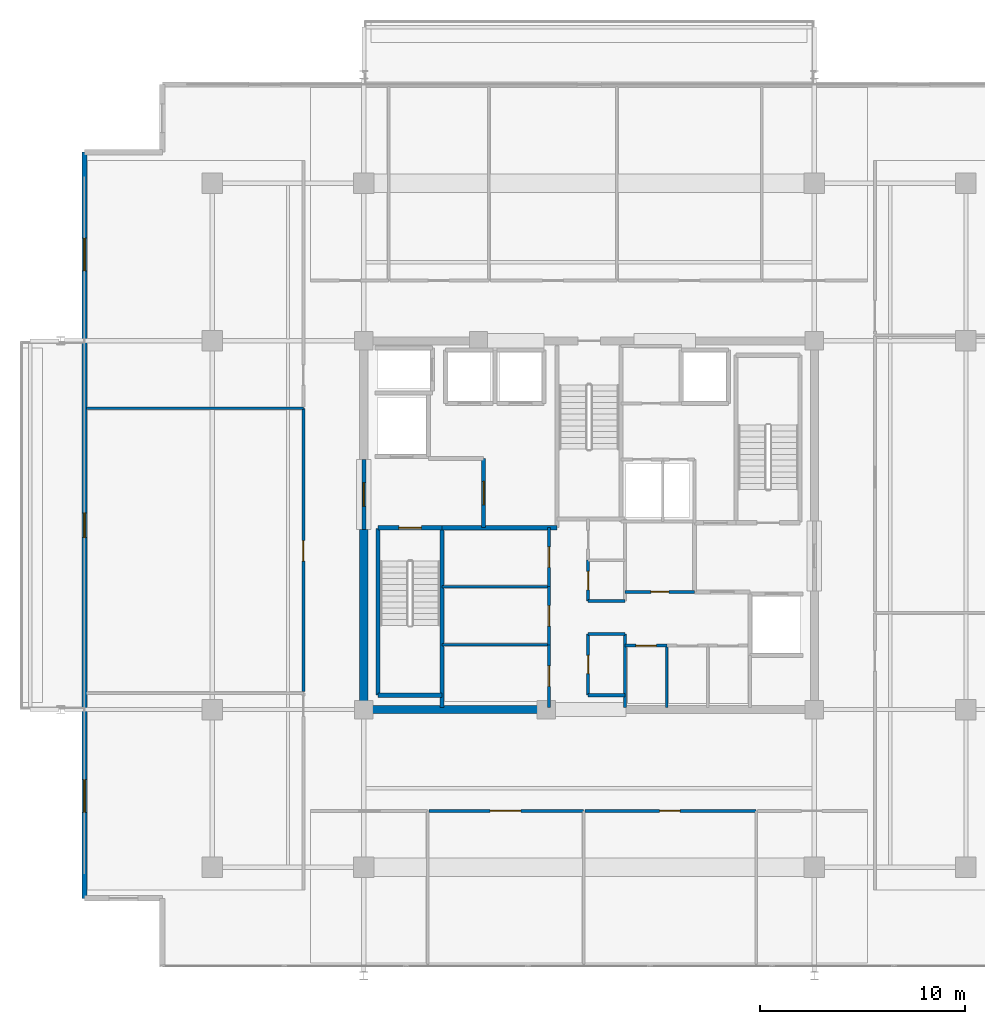
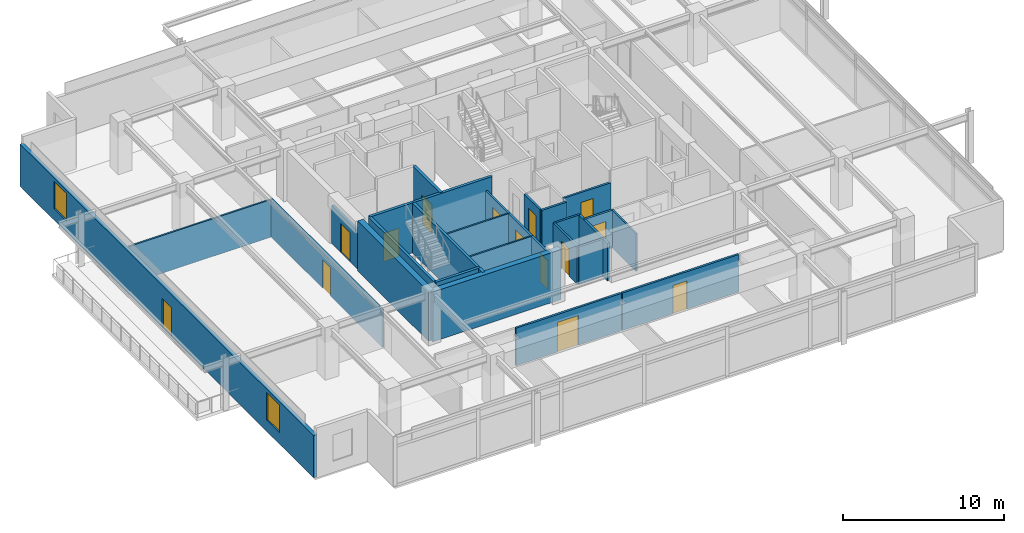
# One storey, part 13 of 20: 28 walls, 14 doors, 2 windows, 16 openings.
"""IFC4 building model written with IfcOpenShell, lengths in metres."""

from ifc_helpers import new_model, si_unit, direction, frame, frame_2d, origin, place, context, subcontext, project, spatial, rectangle, extrude, material, layer, layer_set, type_object, element, fill, save


model = new_model("IFC4")

# Units and contexts
model_context = context("Model", 3, precision=1e-05, world=origin(), true_north=direction((0.0, 1.0)))
body_context = subcontext(model_context, "Body", "Model", "MODEL_VIEW")
ifc_project = project(units=[si_unit("LENGTHUNIT", "METRE"), si_unit("AREAUNIT", "SQUARE_METRE"), si_unit("VOLUMEUNIT", "CUBIC_METRE"), si_unit("PLANEANGLEUNIT", "RADIAN"), si_unit("MASSUNIT", "GRAM", prefix="KILO")], contexts=[model_context])

# Site, building, storey
site_placement = place(None, origin())
site = spatial("IfcSite", under=ifc_project, at=site_placement, CompositionType="ELEMENT")
building_placement = place(site_placement, origin())
building = spatial("IfcBuilding", under=site, at=building_placement, Name="Kovane Verandah Tower", CompositionType="ELEMENT")
storey_placement = place(building_placement, frame((0.0, 0.0, 330.800048828125)))
storey = spatial("IfcBuildingStorey", under=building, at=storey_placement, Name="L77", CompositionType="ELEMENT", Elevation=330.800048828125)

# Walls
ifc_material_1 = material(Name="Fire-Rated Gypsum Stud Partition", Category="gypsum")
ifc_layer_1 = layer(ifc_material_1, 0.14990234375)
ifc_layer_set_1 = layer_set([ifc_layer_1], Name="Fire-Rated Gypsum Stud Partition")
wall_type_1 = type_object("IfcWallType", Name="WL-COR-150", PredefinedType="PARTITIONING", material=ifc_layer_set_1)
for number, where, z_axis, x_axis, name in (
    (1, (39.949951171875, 19.199951171875, 0.0), (0.0, 0.0, 1.0), (1.0, 0.0, 0.0), "L77 Central Core Strip South Wall"),
    (2, (39.949951171875, 22.199951171875, 0.0), (0.0, 0.0, 1.0), (1.0, 0.0, 0.0), "L77 Core Cross-Passage South Wall"),
    (3, (39.949951171875, 23.800048828125, 0.0), (0.0, 0.0, 1.0), (1.0, 0.0, 0.0), "L77 Core Cross-Passage North Wall"),
):
    element("IfcWall", number, at=place(storey_placement, frame(where, z_axis=z_axis, x_axis=x_axis)), inside=storey, type_object=wall_type_1, Name=name, PredefinedType="PARTITIONING", context=body_context, shape_type="SweptSolid", body=[
        extrude(rectangle(XDim=1.81005859375, YDim=0.14990234375, at=frame_2d((0.905029296875, 0.0))), origin(), (0.0, 0.0, 1.0), 2.849853515625),
    ])
wall_1_placement = place(storey_placement, frame((41.760009765625, 18.60009765625, 0.0), z_axis=(0.0, 0.0, 1.0), x_axis=(0.0, 1.0, 0.0)))
element("IfcWall", 4, at=wall_1_placement, inside=storey, type_object=wall_type_1, Name="L77 Central Core Strip Lower East Wall", PredefinedType="PARTITIONING", context=body_context, shape_type="SweptSolid", body=[
    extrude(rectangle(XDim=3.599853515625, YDim=0.14990234375, at=frame_2d((1.7998046875, 0.0))), origin(), (0.0, 0.0, 1.0), 2.849853515625),
])

# Wall, opening, door
wall_2_placement = place(storey_placement, frame((39.949951171875, 19.199951171875, 0.0), z_axis=(0.0, 0.0, 1.0), x_axis=(0.0, 1.0, 0.0)))
wall_2 = element("IfcWall", 5, at=wall_2_placement, inside=storey, type_object=wall_type_1, Name="L77 Male Toilet Partition", PredefinedType="PARTITIONING", context=body_context, shape_type="SweptSolid", body=[
    extrude(rectangle(XDim=3.0, YDim=0.14990234375, at=frame_2d((1.5, 0.0))), origin(), (0.0, 0.0, 1.0), 2.849853515625),
])
opening_1_placement = place(wall_2_placement, frame((1.050048828125, 0.0, 0.0)))
opening_1 = element("IfcOpeningElement", 6, at=opening_1_placement, cuts=wall_2, Name="Opening DR-L77-035", PredefinedType="OPENING", context=body_context, shape_type="SweptSolid", body=[
    extrude(rectangle(XDim=0.89990234375, YDim=2.10009765625, at=frame_2d((0.449951171875, 1.050048828125))), frame((0.0, 0.074951171875, 0.0), z_axis=(0.0, -1.0, 0.0), x_axis=(1.0, 0.0, 0.0)), (0.0, 0.0, 1.0), 0.14990234375),
])
ifc_material_2 = material(Name="Moisture-Resistant Laminate Washroom Door", Category="wood")
door_type_1 = type_object("IfcDoorType", Name="DR-WC-900", OperationType="SINGLE_SWING_LEFT", PredefinedType="DOOR", material=ifc_material_2)
door_1_placement = place(opening_1_placement, origin())
door_1 = element("IfcDoor", 7, at=door_1_placement, inside=storey, type_object=door_type_1, Name="L77 Male Toilet Door", OperationType="SINGLE_SWING_RIGHT", OverallHeight=2.10009765625, OverallWidth=0.89990234375, PredefinedType="DOOR", context=body_context, shape_type="SweptSolid", body=[
    extrude(rectangle(XDim=0.89990234375, YDim=2.10009765625, at=frame_2d((0.449951171875, 1.050048828125))), frame((0.0, 0.02490234375, 0.0), z_axis=(0.0, -1.0, 0.0), x_axis=(1.0, 0.0, 0.0)), (0.0, 0.0, 1.0), 0.050048828125),
])
fill(opening_1, door_1)

wall_3_placement = place(storey_placement, frame((39.949951171875, 23.800048828125, 0.0), z_axis=(0.0, 0.0, 1.0), x_axis=(0.0, 1.0, 0.0)))
wall_3 = element("IfcWall", 8, at=wall_3_placement, inside=storey, type_object=wall_type_1, Name="L77 Female Toilet Partition", PredefinedType="PARTITIONING", context=body_context, shape_type="SweptSolid", body=[
    extrude(rectangle(XDim=2.0, YDim=0.14990234375, at=frame_2d((1.0, 0.0))), origin(), (0.0, 0.0, 1.0), 2.849853515625),
])
opening_2_placement = place(wall_3_placement, frame((0.550048828125, 0.0, 0.0)))
opening_2 = element("IfcOpeningElement", 9, at=opening_2_placement, cuts=wall_3, Name="Opening DR-L77-034", PredefinedType="OPENING", context=body_context, shape_type="SweptSolid", body=[
    extrude(rectangle(XDim=0.89990234375, YDim=2.10009765625, at=frame_2d((0.449951171875, 1.050048828125))), frame((0.0, 0.074951171875, 0.0), z_axis=(0.0, -1.0, 0.0), x_axis=(1.0, 0.0, 0.0)), (0.0, 0.0, 1.0), 0.14990234375),
])
door_2_placement = place(opening_2_placement, origin())
door_2 = element("IfcDoor", 10, at=door_2_placement, inside=storey, type_object=door_type_1, Name="L77 Female Toilet Door", OperationType="SINGLE_SWING_LEFT", OverallHeight=2.10009765625, OverallWidth=0.89990234375, PredefinedType="DOOR", context=body_context, shape_type="SweptSolid", body=[
    extrude(rectangle(XDim=0.89990234375, YDim=2.10009765625, at=frame_2d((0.449951171875, 1.050048828125))), frame((0.0, 0.02490234375, 0.0), z_axis=(0.0, -1.0, 0.0), x_axis=(1.0, 0.0, 0.0)), (0.0, 0.0, 1.0), 0.050048828125),
])
fill(opening_2, door_2)

wall_4_placement = place(storey_placement, frame((38.050048828125, 18.60009765625, 0.0), z_axis=(0.0, 0.0, 1.0), x_axis=(0.0, 1.0, 0.0)))
wall_4 = element("IfcWall", 11, at=wall_4_placement, inside=storey, type_object=wall_type_1, Name="L77 Project Archive Room Partition", PredefinedType="PARTITIONING", context=body_context, shape_type="SweptSolid", body=[
    extrude(rectangle(XDim=3.059814453125, YDim=0.14990234375, at=frame_2d((1.52978515625, 0.0))), origin(), (0.0, 0.0, 1.0), 2.849853515625),
])
opening_3_placement = place(wall_4_placement, frame((1.030029296875, 0.0, 0.0)))
opening_3 = element("IfcOpeningElement", 12, at=opening_3_placement, cuts=wall_4, Name="Opening DR-L77-014", PredefinedType="OPENING", context=body_context, shape_type="SweptSolid", body=[
    extrude(rectangle(XDim=1.0, YDim=2.14990234375, at=frame_2d((0.5, 1.074951171875))), frame((0.0, 0.074951171875, 0.0), z_axis=(0.0, -1.0, 0.0), x_axis=(1.0, 0.0, 0.0)), (0.0, 0.0, 1.0), 0.14990234375),
])
ifc_material_3 = material(Name="FSC Spotted-Gum Timber Fire-Rated Office Door", Category="wood")
door_type_2 = type_object("IfcDoorType", Name="DR-OFF-1000", OperationType="SINGLE_SWING_LEFT", PredefinedType="DOOR", material=ifc_material_3)
door_3_placement = place(opening_3_placement, origin())
door_3 = element("IfcDoor", 13, at=door_3_placement, inside=storey, type_object=door_type_2, Name="L77 Project Archive Room Door", OperationType="SINGLE_SWING_LEFT", OverallHeight=2.14990234375, OverallWidth=1.0, PredefinedType="DOOR", context=body_context, shape_type="SweptSolid", body=[
    extrude(rectangle(XDim=1.0, YDim=2.14990234375, at=frame_2d((0.5, 1.074951171875))), frame((0.0, 0.02490234375, 0.0), z_axis=(0.0, -1.0, 0.0), x_axis=(1.0, 0.0, 0.0)), (0.0, 0.0, 1.0), 0.050048828125),
])
fill(opening_3, door_3)

wall_5_placement = place(storey_placement, frame((38.050048828125, 21.659912109375, 0.0), z_axis=(0.0, 0.0, 1.0), x_axis=(0.0, 1.0, 0.0)))
wall_5 = element("IfcWall", 14, at=wall_5_placement, inside=storey, type_object=wall_type_1, Name="L77 First Aid and Wellness Room Partition", PredefinedType="PARTITIONING", context=body_context, shape_type="SweptSolid", body=[
    extrude(rectangle(XDim=2.840087890625, YDim=0.14990234375, at=frame_2d((1.419921875, 0.0))), origin(), (0.0, 0.0, 1.0), 2.849853515625),
])
opening_4_placement = place(wall_5_placement, frame((0.919921875, 0.0, 0.0)))
opening_4 = element("IfcOpeningElement", 15, at=opening_4_placement, cuts=wall_5, Name="Opening DR-L77-015", PredefinedType="OPENING", context=body_context, shape_type="SweptSolid", body=[
    extrude(rectangle(XDim=1.0, YDim=2.14990234375, at=frame_2d((0.5, 1.074951171875))), frame((0.0, 0.074951171875, 0.0), z_axis=(0.0, -1.0, 0.0), x_axis=(1.0, 0.0, 0.0)), (0.0, 0.0, 1.0), 0.14990234375),
])
door_4_placement = place(opening_4_placement, origin())
door_4 = element("IfcDoor", 16, at=door_4_placement, inside=storey, type_object=door_type_2, Name="L77 First Aid and Wellness Room Door", OperationType="SINGLE_SWING_RIGHT", OverallHeight=2.14990234375, OverallWidth=1.0, PredefinedType="DOOR", context=body_context, shape_type="SweptSolid", body=[
    extrude(rectangle(XDim=1.0, YDim=2.14990234375, at=frame_2d((0.5, 1.074951171875))), frame((0.0, 0.02490234375, 0.0), z_axis=(0.0, -1.0, 0.0), x_axis=(1.0, 0.0, 0.0)), (0.0, 0.0, 1.0), 0.050048828125),
])
fill(opening_4, door_4)

wall_6_placement = place(storey_placement, frame((38.050048828125, 24.5, 0.0), z_axis=(0.0, 0.0, 1.0), x_axis=(0.0, 1.0, 0.0)))
wall_6 = element("IfcWall", 17, at=wall_6_placement, inside=storey, type_object=wall_type_1, Name="L77 Tea and Copy Hub Partition", PredefinedType="PARTITIONING", context=body_context, shape_type="SweptSolid", body=[
    extrude(rectangle(XDim=2.8798828125, YDim=0.14990234375, at=frame_2d((1.43994140625, 0.0))), origin(), (0.0, 0.0, 1.0), 2.849853515625),
])
opening_5_placement = place(wall_6_placement, frame((0.93994140625, 0.0, 0.0)))
opening_5 = element("IfcOpeningElement", 18, at=opening_5_placement, cuts=wall_6, Name="Opening DR-L77-016", PredefinedType="OPENING", context=body_context, shape_type="SweptSolid", body=[
    extrude(rectangle(XDim=1.0, YDim=2.14990234375, at=frame_2d((0.5, 1.074951171875))), frame((0.0, 0.074951171875, 0.0), z_axis=(0.0, -1.0, 0.0), x_axis=(1.0, 0.0, 0.0)), (0.0, 0.0, 1.0), 0.14990234375),
])
door_5_placement = place(opening_5_placement, origin())
door_5 = element("IfcDoor", 19, at=door_5_placement, inside=storey, type_object=door_type_2, Name="L77 Tea and Copy Hub Door", OperationType="SINGLE_SWING_LEFT", OverallHeight=2.14990234375, OverallWidth=1.0, PredefinedType="DOOR", context=body_context, shape_type="SweptSolid", body=[
    extrude(rectangle(XDim=1.0, YDim=2.14990234375, at=frame_2d((0.5, 1.074951171875))), frame((0.0, 0.02490234375, 0.0), z_axis=(0.0, -1.0, 0.0), x_axis=(1.0, 0.0, 0.0)), (0.0, 0.0, 1.0), 0.050048828125),
])
fill(opening_5, door_5)

wall_7_placement = place(storey_placement, frame((41.760009765625, 21.6201171875, 0.0), z_axis=(0.0, 0.0, 1.0), x_axis=(1.0, 0.0, 0.0)))
wall_7 = element("IfcWall", 20, at=wall_7_placement, inside=storey, type_object=wall_type_1, Name="L77 Mail and Copy Room Partition", PredefinedType="PARTITIONING", context=body_context, shape_type="SweptSolid", body=[
    extrude(rectangle(XDim=2.0400390625, YDim=0.14990234375, at=frame_2d((1.02001953125, 0.0))), origin(), (0.0, 0.0, 1.0), 2.849853515625),
])
opening_6_placement = place(wall_7_placement, frame((0.52001953125, 0.0, 0.0)))
opening_6 = element("IfcOpeningElement", 21, at=opening_6_placement, cuts=wall_7, Name="Opening DR-L77-017", PredefinedType="OPENING", context=body_context, shape_type="SweptSolid", body=[
    extrude(rectangle(XDim=1.0, YDim=2.14990234375, at=frame_2d((0.5, 1.074951171875))), frame((0.0, 0.074951171875, 0.0), z_axis=(0.0, -1.0, 0.0), x_axis=(1.0, 0.0, 0.0)), (0.0, 0.0, 1.0), 0.14990234375),
])
door_6_placement = place(opening_6_placement, origin())
door_6 = element("IfcDoor", 22, at=door_6_placement, inside=storey, type_object=door_type_2, Name="L77 Mail and Copy Room Door", OperationType="SINGLE_SWING_RIGHT", OverallHeight=2.14990234375, OverallWidth=1.0, PredefinedType="DOOR", context=body_context, shape_type="SweptSolid", body=[
    extrude(rectangle(XDim=1.0, YDim=2.14990234375, at=frame_2d((0.5, 1.074951171875))), frame((0.0, 0.02490234375, 0.0), z_axis=(0.0, -1.0, 0.0), x_axis=(1.0, 0.0, 0.0)), (0.0, 0.0, 1.0), 0.050048828125),
])
fill(opening_6, door_6)

wall_8_placement = place(storey_placement, frame((41.760009765625, 24.25, 0.0), z_axis=(0.0, 0.0, 1.0), x_axis=(1.0, 0.0, 0.0)))
wall_8 = element("IfcWall", 23, at=wall_8_placement, inside=storey, type_object=wall_type_1, Name="L77 Supply Store Partition", PredefinedType="PARTITIONING", context=body_context, shape_type="SweptSolid", body=[
    extrude(rectangle(XDim=3.389892578125, YDim=0.14990234375, at=frame_2d((1.69482421875, 0.0))), origin(), (0.0, 0.0, 1.0), 2.849853515625),
])
opening_7_placement = place(wall_8_placement, frame((1.2548828125, 0.0, 0.0)))
opening_7 = element("IfcOpeningElement", 24, at=opening_7_placement, cuts=wall_8, Name="Opening DR-L77-020", PredefinedType="OPENING", context=body_context, shape_type="SweptSolid", body=[
    extrude(rectangle(XDim=0.8798828125, YDim=2.10009765625, at=frame_2d((0.43994140625, 1.050048828125))), frame((0.0, 0.074951171875, 0.0), z_axis=(0.0, -1.0, 0.0), x_axis=(1.0, 0.0, 0.0)), (0.0, 0.0, 1.0), 0.14990234375),
])
ifc_material_4 = material(Name="Fire-Rated Steel Riser Access Door", Category="steel")
door_type_3 = type_object("IfcDoorType", Name="DR-RISER-880", OperationType="SINGLE_SWING_LEFT", PredefinedType="DOOR", material=ifc_material_4)
door_7_placement = place(opening_7_placement, origin())
door_7 = element("IfcDoor", 25, at=door_7_placement, inside=storey, type_object=door_type_3, Name="L77 Supply Store Door", OperationType="SINGLE_SWING_LEFT", OverallHeight=2.10009765625, OverallWidth=0.8798828125, PredefinedType="DOOR", context=body_context, shape_type="SweptSolid", body=[
    extrude(rectangle(XDim=0.8798828125, YDim=2.10009765625, at=frame_2d((0.43994140625, 1.050048828125))), frame((0.0, 0.02490234375, 0.0), z_axis=(0.0, -1.0, 0.0), x_axis=(1.0, 0.0, 0.0)), (0.0, 0.0, 1.0), 0.050048828125),
])
fill(opening_7, door_7)

wall_9_placement = place(storey_placement, frame((32.181884765625, 13.550048828125, 0.0), z_axis=(0.0, 0.0, 1.0), x_axis=(1.0, 0.0, 0.0)))
wall_9 = element("IfcWall", 26, at=wall_9_placement, inside=storey, type_object=wall_type_1, Name="L77 Client Boardroom S2 Corridor Partition", PredefinedType="PARTITIONING", context=body_context, shape_type="SweptSolid", body=[
    extrude(rectangle(XDim=7.546142578125, YDim=0.14990234375, at=frame_2d((3.77294921875, 0.0))), origin(), (0.0, 0.0, 1.0), 2.849853515625),
])
opening_8_placement = place(wall_9_placement, frame((2.988037109375, 0.0, 0.0)))
opening_8 = element("IfcOpeningElement", 27, at=opening_8_placement, cuts=wall_9, Name="Opening DR-L77-030", PredefinedType="OPENING", context=body_context, shape_type="SweptSolid", body=[
    extrude(rectangle(XDim=1.5, YDim=2.25, at=frame_2d((0.75, 1.125))), frame((0.0, 0.074951171875, 0.0), z_axis=(0.0, -1.0, 0.0), x_axis=(1.0, 0.0, 0.0)), (0.0, 0.0, 1.0), 0.14990234375),
])
ifc_material_5 = material(Name="Glazed Timber Fire-Rated Double Door", Category="wood")
door_type_4 = type_object("IfcDoorType", Name="DR-CONF-1500", OperationType="DOUBLE_DOOR_SINGLE_SWING", PredefinedType="DOOR", material=ifc_material_5)
door_8_placement = place(opening_8_placement, origin())
door_8 = element("IfcDoor", 28, at=door_8_placement, inside=storey, type_object=door_type_4, Name="L77 Client Boardroom S2 Entrance Door", OperationType="DOUBLE_DOOR_SINGLE_SWING", OverallHeight=2.25, OverallWidth=1.5, PredefinedType="DOOR", context=body_context, shape_type="SweptSolid", body=[
    extrude(rectangle(XDim=1.5, YDim=2.25, at=frame_2d((0.75, 1.125))), frame((0.0, 0.02490234375, 0.0), z_axis=(0.0, -1.0, 0.0), x_axis=(1.0, 0.0, 0.0)), (0.0, 0.0, 1.0), 0.050048828125),
])
fill(opening_8, door_8)

wall_10_placement = place(storey_placement, frame((39.798095703125, 13.550048828125, 0.0), z_axis=(0.0, 0.0, 1.0), x_axis=(1.0, 0.0, 0.0)))
wall_10 = element("IfcWall", 29, at=wall_10_placement, inside=storey, type_object=wall_type_1, Name="L77 Meeting Room S3 Corridor Partition", PredefinedType="PARTITIONING", context=body_context, shape_type="SweptSolid", body=[
    extrude(rectangle(XDim=8.36181640625, YDim=0.14990234375, at=frame_2d((4.180908203125, 0.0))), origin(), (0.0, 0.0, 1.0), 2.849853515625),
])
opening_9_placement = place(wall_10_placement, frame((3.64599609375, 0.0, 0.0)))
opening_9 = element("IfcOpeningElement", 30, at=opening_9_placement, cuts=wall_10, Name="Opening DR-L77-031", PredefinedType="OPENING", context=body_context, shape_type="SweptSolid", body=[
    extrude(rectangle(XDim=1.0, YDim=2.14990234375, at=frame_2d((0.5, 1.074951171875))), frame((0.0, 0.074951171875, 0.0), z_axis=(0.0, -1.0, 0.0), x_axis=(1.0, 0.0, 0.0)), (0.0, 0.0, 1.0), 0.14990234375),
])
door_9_placement = place(opening_9_placement, origin())
door_9 = element("IfcDoor", 31, at=door_9_placement, inside=storey, type_object=door_type_2, Name="L77 Meeting Room S3 Entrance Door", OperationType="SINGLE_SWING_RIGHT", OverallHeight=2.14990234375, OverallWidth=1.0, PredefinedType="DOOR", context=body_context, shape_type="SweptSolid", body=[
    extrude(rectangle(XDim=1.0, YDim=2.14990234375, at=frame_2d((0.5, 1.074951171875))), frame((0.0, 0.02490234375, 0.0), z_axis=(0.0, -1.0, 0.0), x_axis=(1.0, 0.0, 0.0)), (0.0, 0.0, 1.0), 0.050048828125),
])
fill(opening_9, door_9)

wall_11_placement = place(storey_placement, frame((26.050048828125, 19.37353515625, 0.0), z_axis=(0.0, 0.0, 1.0), x_axis=(0.0, 1.0, 0.0)))
wall_11 = element("IfcWall", 32, at=wall_11_placement, inside=storey, type_object=wall_type_1, Name="L77 Collaboration Hub W2 Corridor Partition", PredefinedType="PARTITIONING", context=body_context, shape_type="SweptSolid", body=[
    extrude(rectangle(XDim=13.828369140625, YDim=0.14990234375, at=frame_2d((6.9140625, 0.0))), origin(), (0.0, 0.0, 1.0), 2.849853515625),
])
opening_10_placement = place(wall_11_placement, frame((6.379150390625, 0.0, 0.0)))
opening_10 = element("IfcOpeningElement", 33, at=opening_10_placement, cuts=wall_11, Name="Opening DR-L77-037", PredefinedType="OPENING", context=body_context, shape_type="SweptSolid", body=[
    extrude(rectangle(XDim=1.0, YDim=2.14990234375, at=frame_2d((0.5, 1.074951171875))), frame((0.0, 0.074951171875, 0.0), z_axis=(0.0, -1.0, 0.0), x_axis=(1.0, 0.0, 0.0)), (0.0, 0.0, 1.0), 0.14990234375),
])
door_10_placement = place(opening_10_placement, origin())
door_10 = element("IfcDoor", 34, at=door_10_placement, inside=storey, type_object=door_type_2, Name="L77 Collaboration Hub W2 Entrance Door", OperationType="SINGLE_SWING_LEFT", OverallHeight=2.14990234375, OverallWidth=1.0, PredefinedType="DOOR", context=body_context, shape_type="SweptSolid", body=[
    extrude(rectangle(XDim=1.0, YDim=2.14990234375, at=frame_2d((0.5, 1.074951171875))), frame((0.0, 0.02490234375, 0.0), z_axis=(0.0, -1.0, 0.0), x_axis=(1.0, 0.0, 0.0)), (0.0, 0.0, 1.0), 0.050048828125),
])
fill(opening_10, door_10)

# Walls
ifc_material_6 = material(Name="Concrete C60/75", Category="concrete")
ifc_layer_2 = layer(ifc_material_6, 0.39990234375)
ifc_layer_set_2 = layer_set([ifc_layer_2], Name="Concrete C60/75")
wall_type_2 = type_object("IfcWallType", Name="WL-CORE-400", PredefinedType="SHEAR", material=ifc_layer_set_2)
wall_12_placement = place(storey_placement, frame((29.0, 18.5, 0.0), z_axis=(0.0, 0.0, 1.0), x_axis=(1.0, 0.0, 0.0)))
element("IfcWall", 35, at=wall_12_placement, inside=storey, type_object=wall_type_2, Name="L77 Core Shear Wall CS-1", PredefinedType="SHEAR", context=body_context, shape_type="SweptSolid", body=[
    extrude(rectangle(XDim=9.199951171875, YDim=0.39990234375, at=frame_2d((4.60009765625, 0.0))), origin(), (0.0, 0.0, 1.0), 3.784912109375),
])
wall_13_placement = place(storey_placement, frame((29.0, 18.5, 0.0), z_axis=(0.0, 0.0, 1.0), x_axis=(0.0, 1.0, 0.0)))
element("IfcWall", 36, at=wall_13_placement, inside=storey, type_object=wall_type_2, Name="L77 Core Shear Wall CW-1", PredefinedType="SHEAR", context=body_context, shape_type="SweptSolid", body=[
    extrude(rectangle(XDim=8.800048828125, YDim=0.39990234375, at=frame_2d((4.39990234375, 0.0))), origin(), (0.0, 0.0, 1.0), 3.784912109375),
])

# Wall, opening, door
ifc_material_7 = material(Name="Concrete C45/55 Fire Wall", Category="concrete")
ifc_layer_3 = layer(ifc_material_7, 0.199951171875)
ifc_layer_set_3 = layer_set([ifc_layer_3], Name="Concrete C45/55 Fire Wall")
wall_type_3 = type_object("IfcWallType", Name="WL-FFL-200", PredefinedType="PARTITIONING", material=ifc_layer_set_3)
wall_14_placement = place(storey_placement, frame((34.85009765625, 27.3798828125, 0.0), z_axis=(0.0, 0.0, 1.0), x_axis=(0.0, 1.0, 0.0)))
wall_14 = element("IfcWall", 37, at=wall_14_placement, inside=storey, type_object=wall_type_3, Name="W-L77-FFLW-E", PredefinedType="PARTITIONING", context=body_context, shape_type="SweptSolid", body=[
    extrude(rectangle(XDim=3.3701171875, YDim=0.199951171875, at=frame_2d((1.68505859375, 0.0))), origin(), (0.0, 0.0, 1.0), 3.784912109375),
])
opening_11_placement = place(wall_14_placement, frame((1.110107421875, 0.0, 0.0)))
opening_11 = element("IfcOpeningElement", 38, at=opening_11_placement, cuts=wall_14, Name="Opening DR-L77-006", PredefinedType="OPENING", context=body_context, shape_type="SweptSolid", body=[
    extrude(rectangle(XDim=1.14990234375, YDim=2.199951171875, at=frame_2d((0.574951171875, 1.10009765625))), frame((0.0, 0.10009765625, 0.0), z_axis=(0.0, -1.0, 0.0), x_axis=(1.0, 0.0, 0.0)), (0.0, 0.0, 1.0), 0.199951171875),
])
ifc_material_8 = material(Name="Smoke-Sealed Firefighting Lobby Door", Category="steel")
door_type_5 = type_object("IfcDoorType", Name="DR-FFL-1150", OperationType="SINGLE_SWING_LEFT", PredefinedType="DOOR", material=ifc_material_8)
door_11_placement = place(opening_11_placement, origin())
door_11 = element("IfcDoor", 39, at=door_11_placement, inside=storey, type_object=door_type_5, Name="L77 West Firefighting Lobby Inner Door", OperationType="SINGLE_SWING_LEFT", OverallHeight=2.199951171875, OverallWidth=1.14990234375, PredefinedType="DOOR", context=body_context, shape_type="SweptSolid", body=[
    extrude(rectangle(XDim=1.14990234375, YDim=2.199951171875, at=frame_2d((0.574951171875, 1.10009765625))), frame((0.0, 0.02490234375, 0.0), z_axis=(0.0, -1.0, 0.0), x_axis=(1.0, 0.0, 0.0)), (0.0, 0.0, 1.0), 0.050048828125),
])
fill(opening_11, door_11)

wall_15_placement = place(storey_placement, frame((29.0, 27.300048828125, 0.0), z_axis=(0.0, 0.0, 1.0), x_axis=(0.0, 1.0, 0.0)))
wall_15 = element("IfcWall", 40, at=wall_15_placement, inside=storey, type_object=wall_type_3, Name="W-L77-FFLW-OUT", PredefinedType="PARTITIONING", context=body_context, shape_type="SweptSolid", body=[
    extrude(rectangle(XDim=3.39990234375, YDim=0.199951171875, at=frame_2d((1.699951171875, 0.0))), origin(), (0.0, 0.0, 1.0), 2.864990234375),
])
opening_12_placement = place(wall_15_placement, frame((1.125, 0.0, 0.0)))
opening_12 = element("IfcOpeningElement", 41, at=opening_12_placement, cuts=wall_15, Name="Opening DR-L77-007", PredefinedType="OPENING", context=body_context, shape_type="SweptSolid", body=[
    extrude(rectangle(XDim=1.14990234375, YDim=2.199951171875, at=frame_2d((0.574951171875, 1.10009765625))), frame((0.0, 0.10009765625, 0.0), z_axis=(0.0, -1.0, 0.0), x_axis=(1.0, 0.0, 0.0)), (0.0, 0.0, 1.0), 0.199951171875),
])
door_12_placement = place(opening_12_placement, origin())
door_12 = element("IfcDoor", 42, at=door_12_placement, inside=storey, type_object=door_type_5, Name="L77 West Firefighting Lobby Corridor Door", OperationType="SINGLE_SWING_RIGHT", OverallHeight=2.199951171875, OverallWidth=1.14990234375, PredefinedType="DOOR", context=body_context, shape_type="SweptSolid", body=[
    extrude(rectangle(XDim=1.14990234375, YDim=2.199951171875, at=frame_2d((0.574951171875, 1.10009765625))), frame((0.0, 0.02490234375, 0.0), z_axis=(0.0, -1.0, 0.0), x_axis=(1.0, 0.0, 0.0)), (0.0, 0.0, 1.0), 0.050048828125),
])
fill(opening_12, door_12)

# Walls
wall_16_placement = place(storey_placement, frame((32.820068359375, 27.3798828125, 0.0), z_axis=(0.0, 0.0, 1.0), x_axis=(1.0, 0.0, 0.0)))
element("IfcWall", 43, at=wall_16_placement, inside=storey, type_object=wall_type_3, Name="L77 West Firefighting Lobby South Fire Wall", PredefinedType="PARTITIONING", context=body_context, shape_type="SweptSolid", body=[
    extrude(rectangle(XDim=5.619873046875, YDim=0.199951171875, at=frame_2d((2.81005859375, 0.0))), origin(), (0.0, 0.0, 1.0), 3.784912109375),
])
ifc_material_9 = material(Name="Acoustic Fire-Rated Gypsum Partition", Category="gypsum")
ifc_layer_4 = layer(ifc_material_9, 0.1201171875)
ifc_layer_set_4 = layer_set([ifc_layer_4], Name="Acoustic Fire-Rated Gypsum Partition")
wall_type_4 = type_object("IfcWallType", Name="WL-PART-120", PredefinedType="PARTITIONING", material=ifc_layer_set_4)
for number, where, z_axis, x_axis, name in (
    (44, (32.820068359375, 21.659912109375, 0.0), (0.0, 0.0, 1.0), (1.0, 0.0, 0.0), "L77 Core Support Lower Dividing Partition"),
    (45, (32.820068359375, 24.5, 0.0), (0.0, 0.0, 1.0), (1.0, 0.0, 0.0), "L77 Core Support Upper Dividing Partition"),
):
    element("IfcWall", number, at=place(storey_placement, frame(where, z_axis=z_axis, x_axis=x_axis)), inside=storey, type_object=wall_type_4, Name=name, PredefinedType="PARTITIONING", context=body_context, shape_type="SweptSolid", body=[
        extrude(rectangle(XDim=5.22998046875, YDim=0.1201171875, at=frame_2d((2.614990234375, 0.0))), origin(), (0.0, 0.0, 1.0), 2.849853515625),
    ])
wall_17_placement = place(storey_placement, frame((43.800048828125, 18.60009765625, 0.0), z_axis=(0.0, 0.0, 1.0), x_axis=(0.0, 1.0, 0.0)))
element("IfcWall", 46, at=wall_17_placement, inside=storey, type_object=wall_type_4, Name="L77 East Core Support Dividing Partition 1", PredefinedType="PARTITIONING", context=body_context, shape_type="SweptSolid", body=[
    extrude(rectangle(XDim=3.02001953125, YDim=0.1201171875, at=frame_2d((1.510009765625, 0.0))), origin(), (0.0, 0.0, 1.0), 2.849853515625),
])
wall_18_placement = place(storey_placement, frame((15.463623046875, 33.201904296875, 0.0), z_axis=(0.0, 0.0, 1.0), x_axis=(1.0, 0.0, 0.0)))
element("IfcWall", 47, at=wall_18_placement, inside=storey, type_object=wall_type_4, Name="L77 Collaboration Hub W2 Dividing Partition", PredefinedType="PARTITIONING", context=body_context, shape_type="SweptSolid", body=[
    extrude(rectangle(XDim=10.58642578125, YDim=0.1201171875, at=frame_2d((5.293212890625, 0.0))), origin(), (0.0, 0.0, 1.0), 2.849853515625),
])
ifc_material_10 = material(Name="Concrete C45/55", Category="concrete")
ifc_layer_5 = layer(ifc_material_10, 0.199951171875)
ifc_layer_set_5 = layer_set([ifc_layer_5], Name="Concrete C45/55")
wall_type_5 = type_object("IfcWallType", Name="WL-SHAFT-200", PredefinedType="SOLIDWALL", material=ifc_layer_set_5)
wall_19_placement = place(storey_placement, frame((29.699951171875, 19.199951171875, 0.0), z_axis=(0.0, 0.0, 1.0), x_axis=(0.0, 1.0, 0.0)))
element("IfcWall", 48, at=wall_19_placement, inside=storey, type_object=wall_type_5, Name="W-L77-ST01-W", PredefinedType="SOLIDWALL", context=body_context, shape_type="SweptSolid", body=[
    extrude(rectangle(XDim=8.150146484375, YDim=0.199951171875, at=frame_2d((4.0751953125, 0.0))), origin(), (0.0, 0.0, 1.0), 3.784912109375),
])
wall_20_placement = place(storey_placement, frame((29.699951171875, 19.199951171875, 0.0), z_axis=(0.0, 0.0, 1.0), x_axis=(1.0, 0.0, 0.0)))
element("IfcWall", 49, at=wall_20_placement, inside=storey, type_object=wall_type_5, Name="W-L77-ST01-S", PredefinedType="SOLIDWALL", context=body_context, shape_type="SweptSolid", body=[
    extrude(rectangle(XDim=3.1201171875, YDim=0.199951171875, at=frame_2d((1.56005859375, 0.0))), origin(), (0.0, 0.0, 1.0), 3.784912109375),
])
wall_21_placement = place(storey_placement, frame((32.820068359375, 18.60009765625, 0.0), z_axis=(0.0, 0.0, 1.0), x_axis=(0.0, 1.0, 0.0)))
element("IfcWall", 50, at=wall_21_placement, inside=storey, type_object=wall_type_5, Name="W-L77-ST01-E", PredefinedType="SOLIDWALL", context=body_context, shape_type="SweptSolid", body=[
    extrude(rectangle(XDim=8.77978515625, YDim=0.199951171875, at=frame_2d((4.389892578125, 0.0))), origin(), (0.0, 0.0, 1.0), 3.784912109375),
])

# Wall, opening, door
wall_22_placement = place(storey_placement, frame((29.699951171875, 27.3798828125, 0.0), z_axis=(0.0, 0.0, 1.0), x_axis=(1.0, 0.0, 0.0)))
wall_22 = element("IfcWall", 51, at=wall_22_placement, inside=storey, type_object=wall_type_5, Name="W-L77-ST01-N", PredefinedType="SOLIDWALL", context=body_context, shape_type="SweptSolid", body=[
    extrude(rectangle(XDim=3.1201171875, YDim=0.199951171875, at=frame_2d((1.56005859375, 0.0))), origin(), (0.0, 0.0, 1.0), 3.784912109375),
])
opening_13_placement = place(wall_22_placement, frame((1.010009765625, 0.0, 0.0)))
opening_13 = element("IfcOpeningElement", 52, at=opening_13_placement, cuts=wall_22, Name="Opening DR-L77-008", PredefinedType="OPENING", context=body_context, shape_type="SweptSolid", body=[
    extrude(rectangle(XDim=1.10009765625, YDim=2.14990234375, at=frame_2d((0.550048828125, 1.074951171875))), frame((0.0, 0.10009765625, 0.0), z_axis=(0.0, -1.0, 0.0), x_axis=(1.0, 0.0, 0.0)), (0.0, 0.0, 1.0), 0.199951171875),
])
ifc_material_11 = material(Name="Fire-Rated Steel Exit Door", Category="steel")
door_type_6 = type_object("IfcDoorType", Name="DR-STAIR-1100", OperationType="SINGLE_SWING_LEFT", PredefinedType="DOOR", material=ifc_material_11)
door_13_placement = place(opening_13_placement, origin())
door_13 = element("IfcDoor", 53, at=door_13_placement, inside=storey, type_object=door_type_6, Name="L77 ST-01 Fire Exit Stair Door", OperationType="SINGLE_SWING_LEFT", OverallHeight=2.14990234375, OverallWidth=1.10009765625, PredefinedType="DOOR", context=body_context, shape_type="SweptSolid", body=[
    extrude(rectangle(XDim=1.10009765625, YDim=2.14990234375, at=frame_2d((0.550048828125, 1.074951171875))), frame((0.0, 0.02490234375, 0.0), z_axis=(0.0, -1.0, 0.0), x_axis=(1.0, 0.0, 0.0)), (0.0, 0.0, 1.0), 0.050048828125),
])
fill(opening_13, door_13)

# Wall, openings, door, windows
ifc_material_12 = material(Name="Concrete C45/55 Insulated Spandrel Wall", Category="concrete")
ifc_layer_6 = layer(ifc_material_12, 0.260009765625)
ifc_layer_set_6 = layer_set([ifc_layer_6], Name="Concrete C45/55 Insulated Spandrel Wall")
wall_type_6 = type_object("IfcWallType", Name="WL-SPANDREL-260", PredefinedType="PARAPET", material=ifc_layer_set_6)
wall_23_placement = place(storey_placement, frame((15.363525390625, 45.71826171875, 0.0), z_axis=(0.0, 0.0, 1.0), x_axis=(0.0, -1.0, 0.0)))
wall_23 = element("IfcWall", 54, at=wall_23_placement, inside=storey, type_object=wall_type_6, Name="L77 W Verandah Access Facade Wall", PredefinedType="PARAPET", context=body_context, shape_type="SweptSolid", body=[
    extrude(rectangle(XDim=36.4365234375, YDim=0.260009765625, at=frame_2d((18.21826171875, 0.0))), origin(), (0.0, 0.0, 1.0), 3.195556640625),
])
opening_14_placement = place(wall_23_placement, frame((4.199951171875, 0.0, 0.85009765625)))
opening_14 = element("IfcOpeningElement", 55, at=opening_14_placement, cuts=wall_23, Name="Opening W-02", PredefinedType="OPENING", context=body_context, shape_type="SweptSolid", body=[
    extrude(rectangle(XDim=1.60009765625, YDim=2.10009765625, at=frame_2d((0.800048828125, 1.050048828125))), frame((0.0, 0.1298828125, 0.0), z_axis=(0.0, -1.0, 0.0), x_axis=(1.0, 0.0, 0.0)), (0.0, 0.0, 1.0), 0.260009765625),
])
opening_15_placement = place(wall_23_placement, frame((17.6181640625, 0.0, 0.0)))
opening_15 = element("IfcOpeningElement", 56, at=opening_15_placement, cuts=wall_23, Name="Opening DR-L77-002", PredefinedType="OPENING", context=body_context, shape_type="SweptSolid", body=[
    extrude(rectangle(XDim=1.199951171875, YDim=2.199951171875, at=frame_2d((0.60009765625, 1.10009765625))), frame((0.0, 0.1298828125, 0.0), z_axis=(0.0, -1.0, 0.0), x_axis=(1.0, 0.0, 0.0)), (0.0, 0.0, 1.0), 0.260009765625),
])
opening_16_placement = place(wall_23_placement, frame((30.636474609375, 0.0, 0.85009765625)))
opening_16 = element("IfcOpeningElement", 57, at=opening_16_placement, cuts=wall_23, Name="Opening W-02", PredefinedType="OPENING", context=body_context, shape_type="SweptSolid", body=[
    extrude(rectangle(XDim=1.60009765625, YDim=2.10009765625, at=frame_2d((0.800048828125, 1.050048828125))), frame((0.0, 0.1298828125, 0.0), z_axis=(0.0, -1.0, 0.0), x_axis=(1.0, 0.0, 0.0)), (0.0, 0.0, 1.0), 0.260009765625),
])
ifc_material_13 = material(Name="Cyclone-Rated Glazed Balcony Leaf Door", Category="aluminium")
door_type_7 = type_object("IfcDoorType", Name="DR-BAL-1200x2200", OperationType="SINGLE_SWING_LEFT", PredefinedType="DOOR", material=ifc_material_13)
door_14_placement = place(opening_15_placement, origin())
door_14 = element("IfcDoor", 58, at=door_14_placement, inside=storey, type_object=door_type_7, Name="L77 W Planted Balcony Access Door", OperationType="SINGLE_SWING_LEFT", OverallHeight=2.199951171875, OverallWidth=1.199951171875, PredefinedType="DOOR", context=body_context, shape_type="SweptSolid", body=[
    extrude(rectangle(XDim=1.199951171875, YDim=2.199951171875, at=frame_2d((0.60009765625, 1.10009765625))), frame((0.0, 0.02490234375, 0.0), z_axis=(0.0, -1.0, 0.0), x_axis=(1.0, 0.0, 0.0)), (0.0, 0.0, 1.0), 0.050048828125),
])
fill(opening_15, door_14)
ifc_material_14 = material(Name="Clear Low-E Laminated Double Glazing in Anodised Frame", Category="glass")
window_type = type_object("IfcWindowType", Name="WN-OPER-1600x2100", PartitioningType="SINGLE_PANEL", PredefinedType="WINDOW", material=ifc_material_14)
window_1_placement = place(opening_14_placement, origin())
window_1 = element("IfcWindow", 59, at=window_1_placement, inside=storey, type_object=window_type, Name="L77 W Verandah View Window 1", OverallHeight=2.10009765625, OverallWidth=1.60009765625, PartitioningType="SINGLE_PANEL", PredefinedType="WINDOW", context=body_context, shape_type="SweptSolid", body=[
    extrude(rectangle(XDim=1.60009765625, YDim=2.10009765625, at=frame_2d((0.800048828125, 1.050048828125))), frame((0.0, 0.030029296875, 0.0), z_axis=(0.0, -1.0, 0.0), x_axis=(1.0, 0.0, 0.0)), (0.0, 0.0, 1.0), 0.06005859375),
])
fill(opening_14, window_1)
window_2_placement = place(opening_16_placement, origin())
window_2 = element("IfcWindow", 60, at=window_2_placement, inside=storey, type_object=window_type, Name="L77 W Verandah View Window 2", OverallHeight=2.10009765625, OverallWidth=1.60009765625, PartitioningType="SINGLE_PANEL", PredefinedType="WINDOW", context=body_context, shape_type="SweptSolid", body=[
    extrude(rectangle(XDim=1.60009765625, YDim=2.10009765625, at=frame_2d((0.800048828125, 1.050048828125))), frame((0.0, 0.030029296875, 0.0), z_axis=(0.0, -1.0, 0.0), x_axis=(1.0, 0.0, 0.0)), (0.0, 0.0, 1.0), 0.06005859375),
])
fill(opening_16, window_2)

save(model, "model.ifc")
